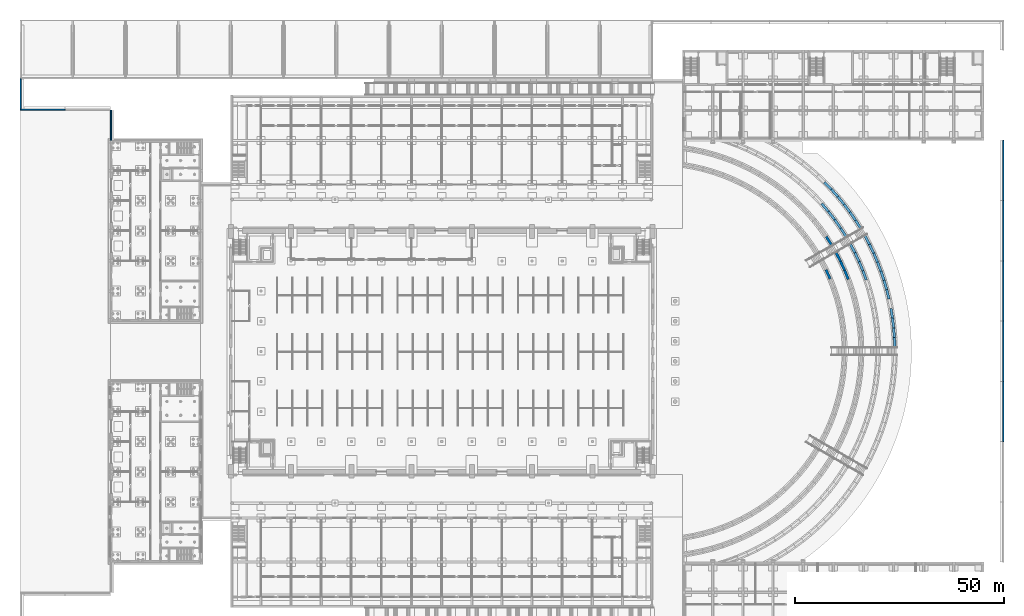
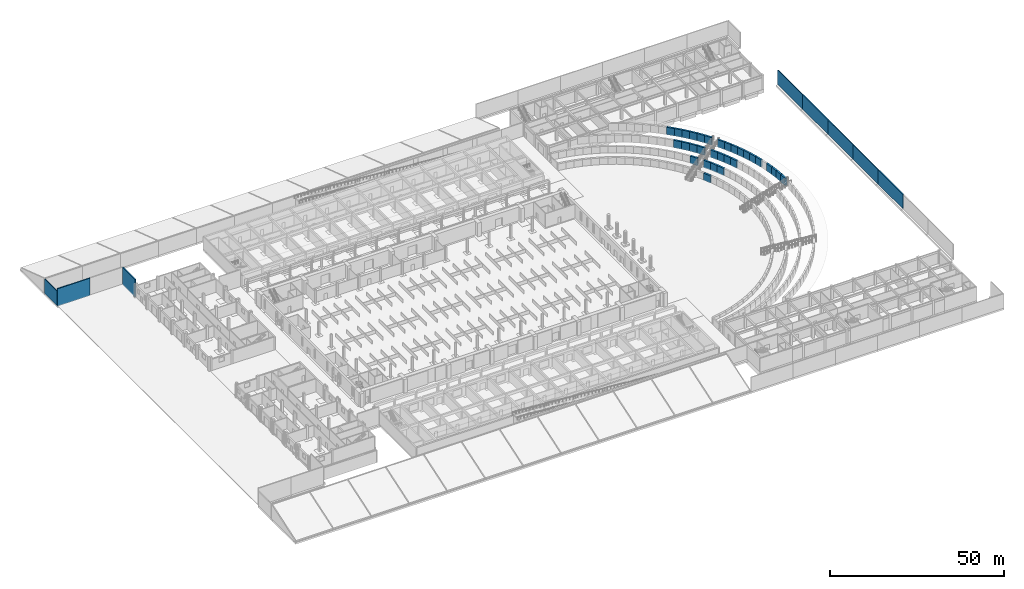
# One storey, part 50 of 73: 38 walls.
"""IFC4 building model written with IfcOpenShell, lengths in metres."""

from ifc_helpers import new_model, si_unit, direction, frame, frame_2d, origin, place, context, subcontext, project, spatial, rectangle, extrude, material, layer, layer_set, type_object, element, save


model = new_model("IFC4")

# Units and contexts
model_context = context("Model", 3, precision=1e-05, world=origin(), true_north=direction((0.0, 1.0)))
body_context = subcontext(model_context, "Body", "Model", "MODEL_VIEW")
ifc_project = project(units=[si_unit("LENGTHUNIT", "METRE"), si_unit("AREAUNIT", "SQUARE_METRE"), si_unit("VOLUMEUNIT", "CUBIC_METRE"), si_unit("PLANEANGLEUNIT", "RADIAN"), si_unit("MASSUNIT", "GRAM", prefix="KILO")], contexts=[model_context])

# Site, building, storey
site_placement = place(None, origin())
site = spatial("IfcSite", under=ifc_project, at=site_placement, CompositionType="ELEMENT")
building_placement = place(site_placement, origin())
building = spatial("IfcBuilding", under=site, at=building_placement, Name="Alderwick Market Hall", CompositionType="ELEMENT")
storey_placement = place(building_placement, origin())
storey = spatial("IfcBuildingStorey", under=building, at=storey_placement, Name="LG", CompositionType="ELEMENT", Elevation=0.0)

# Walls
ifc_material = material(Name="Concrete 5000 psi (f'c 35 MPa)", Category="concrete")
ifc_layer_1 = layer(ifc_material, 0.300048828125)
ifc_layer_set_1 = layer_set([ifc_layer_1], Name="Concrete 5000 psi (f'c 35 MPa)")
wall_type_1 = type_object("IfcWallType", Name="S Retaining Wall 300", PredefinedType="SOLIDWALL", material=ifc_layer_set_1)
wall_1_placement = place(storey_placement, frame((0.0009765625, 136.949951171875, -0.25), z_axis=(0.0, 0.0, 1.0), x_axis=(1.0, 0.0, 0.0)))
element("IfcWall", 1, at=wall_1_placement, inside=storey, type_object=wall_type_1, Name="Retaining wall 03a", PredefinedType="SOLIDWALL", context=body_context, shape_type="SweptSolid", body=[
    extrude(rectangle(XDim=10.799072265625, YDim=0.300048828125, at=frame_2d((5.3994140625, 0.0))), origin(), (0.0, 0.0, 1.0), 6.14990234375),
])
wall_2_placement = place(storey_placement, frame((21.75, 129.610107421875, -0.25), z_axis=(0.0, 0.0, 1.0), x_axis=(0.0, 1.0, 0.0)))
element("IfcWall", 2, at=wall_2_placement, inside=storey, type_object=wall_type_1, Name="Retaining wall 04a", PredefinedType="SOLIDWALL", context=body_context, shape_type="SweptSolid", body=[
    extrude(rectangle(XDim=7.18994140625, YDim=0.300048828125, at=frame_2d((3.594970703125, 0.0))), origin(), (0.0, 0.0, 1.0), 6.14990234375),
])
for number, where, z_axis, x_axis, name in (
    (3, (235.049072265625, 57.60009765625, -0.25), (0.0, 0.0, 1.0), (0.0, 1.0, 0.0), "Boundary wall E04c"),
    (4, (235.049072265625, 72.0, -0.25), (0.0, 0.0, 1.0), (0.0, 1.0, 0.0), "Boundary wall E04d"),
):
    element("IfcWall", number, at=place(storey_placement, frame(where, z_axis=z_axis, x_axis=x_axis)), inside=storey, type_object=wall_type_1, Name=name, PredefinedType="SOLIDWALL", context=body_context, shape_type="SweptSolid", body=[
        extrude(rectangle(XDim=14.39990234375, YDim=0.300048828125, at=frame_2d((7.199951171875, 0.0))), origin(), (0.0, 0.0, 1.0), 5.050048828125),
    ])
wall_3_placement = place(storey_placement, frame((235.049072265625, 86.39990234375, -0.25), z_axis=(0.0, 0.0, 1.0), x_axis=(0.0, 1.0, 0.0)))
element("IfcWall", 5, at=wall_3_placement, inside=storey, type_object=wall_type_1, Name="Boundary wall E04e", PredefinedType="SOLIDWALL", context=body_context, shape_type="SweptSolid", body=[
    extrude(rectangle(XDim=14.400146484375, YDim=0.300048828125, at=frame_2d((7.2001953125, 0.0))), origin(), (0.0, 0.0, 1.0), 5.050048828125),
])
wall_4_placement = place(storey_placement, frame((235.049072265625, 100.800048828125, -0.25), z_axis=(0.0, 0.0, 1.0), x_axis=(0.0, 1.0, 0.0)))
element("IfcWall", 6, at=wall_4_placement, inside=storey, type_object=wall_type_1, Name="Boundary wall E04f", PredefinedType="SOLIDWALL", context=body_context, shape_type="SweptSolid", body=[
    extrude(rectangle(XDim=14.39990234375, YDim=0.300048828125, at=frame_2d((7.199951171875, 0.0))), origin(), (0.0, 0.0, 1.0), 5.050048828125),
])
wall_5_placement = place(storey_placement, frame((235.049072265625, 115.199951171875, -0.25), z_axis=(0.0, 0.0, 1.0), x_axis=(0.0, 1.0, 0.0)))
element("IfcWall", 7, at=wall_5_placement, inside=storey, type_object=wall_type_1, Name="Boundary wall E04g", PredefinedType="SOLIDWALL", context=body_context, shape_type="SweptSolid", body=[
    extrude(rectangle(XDim=14.400146484375, YDim=0.300048828125, at=frame_2d((7.2001953125, 0.0))), origin(), (0.0, 0.0, 1.0), 5.050048828125),
])
wall_6_placement = place(storey_placement, frame((0.15087890625, 137.10009765625, -0.25), z_axis=(0.0, 0.0, 1.0), x_axis=(0.0, 1.0, 0.0)))
element("IfcWall", 8, at=wall_6_placement, inside=storey, type_object=wall_type_1, Name="Boundary wall W07a", PredefinedType="SOLIDWALL", context=body_context, shape_type="SweptSolid", body=[
    extrude(rectangle(XDim=7.199951171875, YDim=0.300048828125, at=frame_2d((3.60009765625, 0.0))), origin(), (0.0, 0.0, 1.0), 5.050048828125),
])
ifc_layer_2 = layer(ifc_material, 0.60009765625)
ifc_layer_set_2 = layer_set([ifc_layer_2], Name="Concrete 5000 psi (f'c 35 MPa)")
wall_type_2 = type_object("IfcWallType", Name="S Terrace Wall 600", PredefinedType="SOLIDWALL", material=ifc_layer_set_2)
wall_7_placement = place(storey_placement, frame((193.63330078125, 96.519287109375, -0.199951171875), z_axis=(0.0, 0.0, 1.0), x_axis=(-0.409058849978, 0.91250800394, 0.0)))
element("IfcWall", 9, at=wall_7_placement, inside=storey, type_object=wall_type_2, Name="Terrace wall W1.33", PredefinedType="SOLIDWALL", context=body_context, shape_type="SweptSolid", body=[
    extrude(rectangle(XDim=2.379638671875, YDim=0.60009765625, at=frame_2d((1.18994140625, 0.0))), origin(), (0.0, 0.0, 1.0), 2.5),
])
for number, where, z_axis, x_axis, name in (
    (10, (197.984619140625, 96.392578125, 0.89990234375), (0.0, 0.0, 1.0), (-0.37321618417, 0.927744404388, 0.0), "Terrace wall W2.36"),
    (11, (197.101318359375, 98.5869140625, 0.89990234375), (0.0, 0.0, 1.0), (-0.417562740917, 0.908648093267, 0.0), "Terrace wall W2.37"),
):
    element("IfcWall", number, at=place(storey_placement, frame(where, z_axis=z_axis, x_axis=x_axis)), inside=storey, type_object=wall_type_2, Name=name, PredefinedType="SOLIDWALL", context=body_context, shape_type="SweptSolid", body=[
        extrude(rectangle(XDim=2.35107421875, YDim=0.60009765625, at=frame_2d((1.175537109375, 0.0))), origin(), (0.0, 0.0, 1.0), 2.60009765625),
    ])
wall_8_placement = place(storey_placement, frame((196.11328125, 100.736083984375, 0.89990234375), z_axis=(0.0, 0.0, 1.0), x_axis=(-0.460909357557, 0.887447217651, 0.0)))
element("IfcWall", 12, at=wall_8_placement, inside=storey, type_object=wall_type_2, Name="Terrace wall W2.38", PredefinedType="SOLIDWALL", context=body_context, shape_type="SweptSolid", body=[
    extrude(rectangle(XDim=2.358154296875, YDim=0.60009765625, at=frame_2d((1.17919921875, 0.0))), origin(), (0.0, 0.0, 1.0), 2.60009765625),
])
wall_9_placement = place(storey_placement, frame((194.0263671875, 104.560791015625, 0.89990234375), z_axis=(0.0, 0.0, 1.0), x_axis=(-0.538689686252, 0.842504256325, 0.0)))
element("IfcWall", 13, at=wall_9_placement, inside=storey, type_object=wall_type_2, Name="Terrace wall W2.39", PredefinedType="SOLIDWALL", context=body_context, shape_type="SweptSolid", body=[
    extrude(rectangle(XDim=2.4365234375, YDim=0.60009765625, at=frame_2d((1.21826171875, 0.0))), origin(), (0.0, 0.0, 1.0), 2.60009765625),
])
for number, where, z_axis, x_axis, name in (
    (14, (202.271240234375, 96.282958984375, 2.10009765625), (0.0, 0.0, 1.0), (-0.343006086178, 0.939333180956, 0.0), "Terrace wall W3.34"),
    (15, (201.468017578125, 98.4814453125, 2.10009765625), (0.0, 0.0, 1.0), (-0.384123753364, 0.923281615815, 0.0), "Terrace wall W3.35"),
):
    element("IfcWall", number, at=place(storey_placement, frame(where, z_axis=z_axis, x_axis=x_axis)), inside=storey, type_object=wall_type_2, Name=name, PredefinedType="SOLIDWALL", context=body_context, shape_type="SweptSolid", body=[
        extrude(rectangle(XDim=2.327392578125, YDim=0.60009765625, at=frame_2d((1.16357421875, 0.0))), origin(), (0.0, 0.0, 1.0), 2.599853515625),
    ])
wall_10_placement = place(storey_placement, frame((200.568603515625, 100.642578125, 2.10009765625), z_axis=(0.0, 0.0, 1.0), x_axis=(-0.424584357392, 0.905388382661, 0.0)))
element("IfcWall", 16, at=wall_10_placement, inside=storey, type_object=wall_type_2, Name="Terrace wall W3.36", PredefinedType="SOLIDWALL", context=body_context, shape_type="SweptSolid", body=[
    extrude(rectangle(XDim=2.32763671875, YDim=0.60009765625, at=frame_2d((1.163818359375, 0.0))), origin(), (0.0, 0.0, 1.0), 2.599853515625),
])
wall_11_placement = place(storey_placement, frame((199.574462890625, 102.76171875, 2.10009765625), z_axis=(0.0, 0.0, 1.0), x_axis=(-0.464077341963, 0.885794683139, 0.0)))
element("IfcWall", 17, at=wall_11_placement, inside=storey, type_object=wall_type_2, Name="Terrace wall W3.37", PredefinedType="SOLIDWALL", context=body_context, shape_type="SweptSolid", body=[
    extrude(rectangle(XDim=2.334228515625, YDim=0.60009765625, at=frame_2d((1.1669921875, 0.0))), origin(), (0.0, 0.0, 1.0), 2.599853515625),
])
wall_12_placement = place(storey_placement, frame((197.4912109375, 106.561279296875, 2.10009765625), z_axis=(0.0, 0.0, 1.0), x_axis=(-0.536028327033, 0.844199995628, 0.0)))
element("IfcWall", 18, at=wall_12_placement, inside=storey, type_object=wall_type_2, Name="Terrace wall W3.38", PredefinedType="SOLIDWALL", context=body_context, shape_type="SweptSolid", body=[
    extrude(rectangle(XDim=2.462158203125, YDim=0.60009765625, at=frame_2d((1.23095703125, 0.0))), origin(), (0.0, 0.0, 1.0), 2.599853515625),
])
for number, where, z_axis, x_axis, name in (
    (19, (196.16357421875, 108.651611328125, 2.10009765625), (0.0, 0.0, 1.0), (-0.574842963648, 0.818263751576, 0.0), "Terrace wall W3.39"),
    (20, (194.743896484375, 110.671875, 2.10009765625), (0.0, 0.0, 1.0), (-0.612321590934, 0.790608796609, 0.0), "Terrace wall W3.40"),
    (21, (193.231689453125, 112.623779296875, 2.10009765625), (0.0, 0.0, 1.0), (-0.648421637173, 0.76128140687, 0.0), "Terrace wall W3.41"),
):
    element("IfcWall", number, at=place(storey_placement, frame(where, z_axis=z_axis, x_axis=x_axis)), inside=storey, type_object=wall_type_2, Name=name, PredefinedType="SOLIDWALL", context=body_context, shape_type="SweptSolid", body=[
        extrude(rectangle(XDim=2.455322265625, YDim=0.60009765625, at=frame_2d((1.2275390625, 0.0))), origin(), (0.0, 0.0, 1.0), 2.599853515625),
    ])
wall_13_placement = place(storey_placement, frame((209.09130859375, 80.199951171875, 3.300048828125), z_axis=(0.0, 0.0, 1.0), x_axis=(-0.037979335823, 0.999278524762, 0.0)))
element("IfcWall", 22, at=wall_13_placement, inside=storey, type_object=wall_type_2, Name="Terrace wall W4.26", PredefinedType="SOLIDWALL", context=body_context, shape_type="SweptSolid", body=[
    extrude(rectangle(XDim=2.314208984375, YDim=0.60009765625, at=frame_2d((1.1572265625, 0.0))), origin(), (0.0, 0.0, 1.0), 2.599853515625),
])
wall_14_placement = place(storey_placement, frame((209.002685546875, 82.524658203125, 3.300048828125), z_axis=(0.0, 0.0, 1.0), x_axis=(-0.078483948022, 0.996915377503, 0.0)))
element("IfcWall", 23, at=wall_14_placement, inside=storey, type_object=wall_type_2, Name="Terrace wall W4.27", PredefinedType="SOLIDWALL", context=body_context, shape_type="SweptSolid", body=[
    extrude(rectangle(XDim=2.30810546875, YDim=0.60009765625, at=frame_2d((1.154052734375, 0.0))), origin(), (0.0, 0.0, 1.0), 2.599853515625),
])
for number, where, z_axis, x_axis, name in (
    (24, (208.8203125, 84.837890625, 3.300048828125), (0.0, 0.0, 1.0), (-0.119007566137, 0.992893347345, 0.0), "Terrace wall W4.28"),
    (25, (208.5439453125, 87.1416015625, 3.300048828125), (0.0, 0.0, 1.0), (-0.15931891519, 0.987227169026, 0.0), "Terrace wall W4.29"),
    (26, (207.711181640625, 91.705810546875, 3.300048828125), (0.0, 0.0, 1.0), (-0.239174023213, 0.970976717857, 0.0), "Terrace wall W4.31"),
):
    element("IfcWall", number, at=place(storey_placement, frame(where, z_axis=z_axis, x_axis=x_axis)), inside=storey, type_object=wall_type_2, Name=name, PredefinedType="SOLIDWALL", context=body_context, shape_type="SweptSolid", body=[
        extrude(rectangle(XDim=2.307861328125, YDim=0.60009765625, at=frame_2d((1.15380859375, 0.0))), origin(), (0.0, 0.0, 1.0), 2.599853515625),
    ])
wall_15_placement = place(storey_placement, frame((207.156005859375, 93.95849609375, 3.300048828125), z_axis=(0.0, 0.0, 1.0), x_axis=(-0.278407361701, 0.960463086719, 0.0)))
element("IfcWall", 27, at=wall_15_placement, inside=storey, type_object=wall_type_2, Name="Terrace wall W4.32", PredefinedType="SOLIDWALL", context=body_context, shape_type="SweptSolid", body=[
    extrude(rectangle(XDim=2.30810546875, YDim=0.60009765625, at=frame_2d((1.154052734375, 0.0))), origin(), (0.0, 0.0, 1.0), 2.599853515625),
])
wall_16_placement = place(storey_placement, frame((206.509765625, 96.18701171875, 3.300048828125), z_axis=(0.0, 0.0, 1.0), x_axis=(-0.31724310127, 0.948344249045, 0.0)))
element("IfcWall", 28, at=wall_16_placement, inside=storey, type_object=wall_type_2, Name="Terrace wall W4.33", PredefinedType="SOLIDWALL", context=body_context, shape_type="SweptSolid", body=[
    extrude(rectangle(XDim=2.307861328125, YDim=0.60009765625, at=frame_2d((1.15380859375, 0.0))), origin(), (0.0, 0.0, 1.0), 2.599853515625),
])
wall_17_placement = place(storey_placement, frame((205.7734375, 98.38720703125, 3.300048828125), z_axis=(0.0, 0.0, 1.0), x_axis=(-0.355617020326, 0.934631764308, 0.0)))
element("IfcWall", 29, at=wall_17_placement, inside=storey, type_object=wall_type_2, Name="Terrace wall W4.34", PredefinedType="SOLIDWALL", context=body_context, shape_type="SweptSolid", body=[
    extrude(rectangle(XDim=2.30810546875, YDim=0.60009765625, at=frame_2d((1.154052734375, 0.0))), origin(), (0.0, 0.0, 1.0), 2.599853515625),
])
wall_18_placement = place(storey_placement, frame((204.947998046875, 100.555908203125, 3.300048828125), z_axis=(0.0, 0.0, 1.0), x_axis=(-0.393319142299, 0.919402007993, 0.0)))
element("IfcWall", 30, at=wall_18_placement, inside=storey, type_object=wall_type_2, Name="Terrace wall W4.35", PredefinedType="SOLIDWALL", context=body_context, shape_type="SweptSolid", body=[
    extrude(rectangle(XDim=2.307861328125, YDim=0.60009765625, at=frame_2d((1.15380859375, 0.0))), origin(), (0.0, 0.0, 1.0), 2.599853515625),
])
wall_19_placement = place(storey_placement, frame((204.03515625, 102.68896484375, 3.300048828125), z_axis=(0.0, 0.0, 1.0), x_axis=(-0.430508320316, 0.902586608663, 0.0)))
element("IfcWall", 31, at=wall_19_placement, inside=storey, type_object=wall_type_2, Name="Terrace wall W4.36", PredefinedType="SOLIDWALL", context=body_context, shape_type="SweptSolid", body=[
    extrude(rectangle(XDim=2.30810546875, YDim=0.60009765625, at=frame_2d((1.154052734375, 0.0))), origin(), (0.0, 0.0, 1.0), 2.599853515625),
])
wall_20_placement = place(storey_placement, frame((203.0361328125, 104.783203125, 3.300048828125), z_axis=(0.0, 0.0, 1.0), x_axis=(-0.466854888332, 0.884333937628, 0.0)))
element("IfcWall", 32, at=wall_20_placement, inside=storey, type_object=wall_type_2, Name="Terrace wall W4.37", PredefinedType="SOLIDWALL", context=body_context, shape_type="SweptSolid", body=[
    extrude(rectangle(XDim=2.31396484375, YDim=0.60009765625, at=frame_2d((1.156982421875, 0.0))), origin(), (0.0, 0.0, 1.0), 2.599853515625),
])
wall_21_placement = place(storey_placement, frame((200.955810546875, 108.5615234375, 3.300048828125), z_axis=(0.0, 0.0, 1.0), x_axis=(-0.532616516887, 0.846356689546, 0.0)))
element("IfcWall", 33, at=wall_21_placement, inside=storey, type_object=wall_type_2, Name="Terrace wall W4.38", PredefinedType="SOLIDWALL", context=body_context, shape_type="SweptSolid", body=[
    extrude(rectangle(XDim=2.3369140625, YDim=0.60009765625, at=frame_2d((1.16845703125, 0.0))), origin(), (0.0, 0.0, 1.0), 2.599853515625),
])
wall_22_placement = place(storey_placement, frame((199.70458984375, 110.549560546875, 3.300048828125), z_axis=(0.0, 0.0, 1.0), x_axis=(-0.566968906838, 0.823739193361, 0.0)))
element("IfcWall", 34, at=wall_22_placement, inside=storey, type_object=wall_type_2, Name="Terrace wall W4.39", PredefinedType="SOLIDWALL", context=body_context, shape_type="SweptSolid", body=[
    extrude(rectangle(XDim=2.330322265625, YDim=0.60009765625, at=frame_2d((1.1650390625, 0.0))), origin(), (0.0, 0.0, 1.0), 2.599853515625),
])
wall_23_placement = place(storey_placement, frame((198.376220703125, 112.479248046875, 3.300048828125), z_axis=(0.0, 0.0, 1.0), x_axis=(-0.600368684782, 0.799723353625, 0.0)))
element("IfcWall", 35, at=wall_23_placement, inside=storey, type_object=wall_type_2, Name="Terrace wall W4.40", PredefinedType="SOLIDWALL", context=body_context, shape_type="SweptSolid", body=[
    extrude(rectangle(XDim=2.33056640625, YDim=0.60009765625, at=frame_2d((1.165283203125, 0.0))), origin(), (0.0, 0.0, 1.0), 2.599853515625),
])
wall_24_placement = place(storey_placement, frame((196.969482421875, 114.352783203125, 3.300048828125), z_axis=(0.0, 0.0, 1.0), x_axis=(-0.632672826882, 0.774419197932, 0.0)))
element("IfcWall", 36, at=wall_24_placement, inside=storey, type_object=wall_type_2, Name="Terrace wall W4.41", PredefinedType="SOLIDWALL", context=body_context, shape_type="SweptSolid", body=[
    extrude(rectangle(XDim=2.330322265625, YDim=0.60009765625, at=frame_2d((1.1650390625, 0.0))), origin(), (0.0, 0.0, 1.0), 2.599853515625),
])
wall_25_placement = place(storey_placement, frame((195.487060546875, 116.166748046875, 3.300048828125), z_axis=(0.0, 0.0, 1.0), x_axis=(-0.663960601834, 0.74776755694, 0.0)))
element("IfcWall", 37, at=wall_25_placement, inside=storey, type_object=wall_type_2, Name="Terrace wall W4.42", PredefinedType="SOLIDWALL", context=body_context, shape_type="SweptSolid", body=[
    extrude(rectangle(XDim=2.33056640625, YDim=0.60009765625, at=frame_2d((1.165283203125, 0.0))), origin(), (0.0, 0.0, 1.0), 2.599853515625),
])
wall_26_placement = place(storey_placement, frame((193.931396484375, 117.91845703125, 3.300048828125), z_axis=(0.0, 0.0, 1.0), x_axis=(-0.694156896702, 0.719823730341, 0.0)))
element("IfcWall", 38, at=wall_26_placement, inside=storey, type_object=wall_type_2, Name="Terrace wall W4.43", PredefinedType="SOLIDWALL", context=body_context, shape_type="SweptSolid", body=[
    extrude(rectangle(XDim=2.330322265625, YDim=0.60009765625, at=frame_2d((1.1650390625, 0.0))), origin(), (0.0, 0.0, 1.0), 2.599853515625),
])

save(model, "model.ifc")
